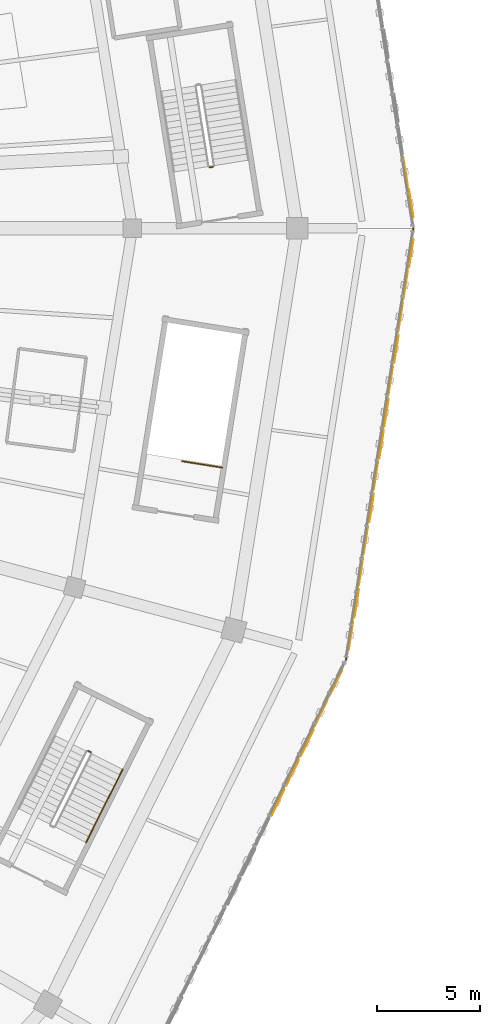
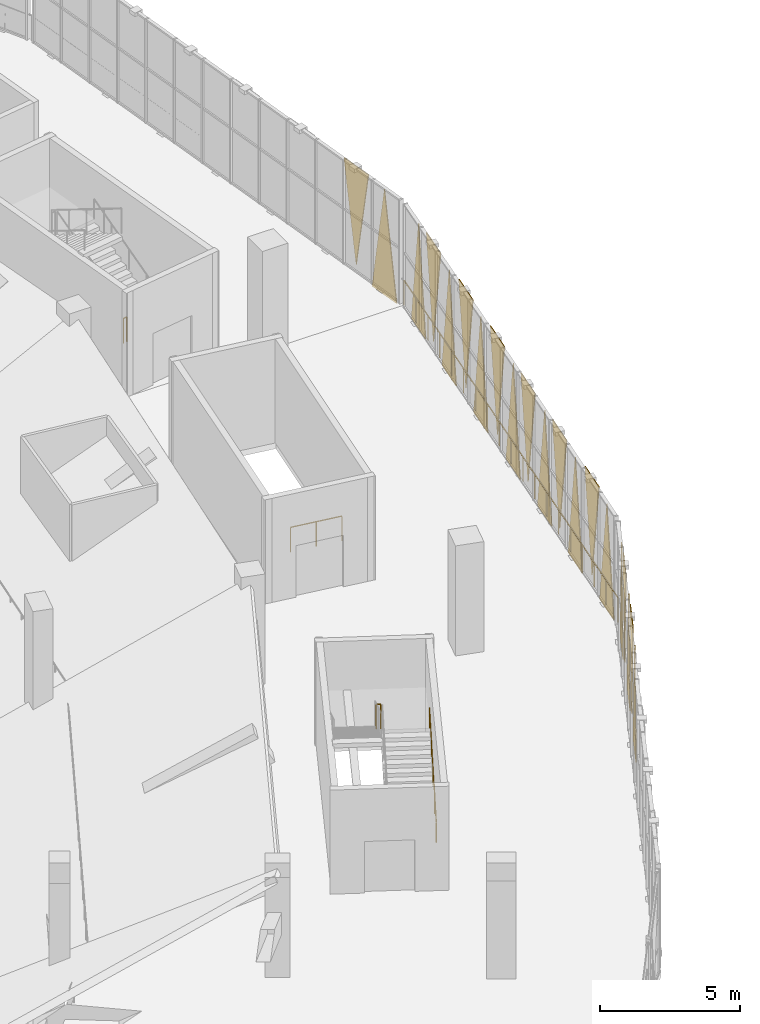
# One storey, part 135 of 152: 20 coverings, 5 railings.
"""IFC4 building model written with IfcOpenShell, lengths in metres."""

import ifcopenshell
import ifcopenshell.guid

model = None  # the IFC model being written
_history = None  # IfcOwnerHistory: only IFC2X3 demands one
_inside = {}  # id of a spatial element -> (the spatial element, [elements in it])
_under = {}  # id of a project, library or spatial element -> (it, [spatial elements below it])
_declared = {}  # id of a project -> (the project, [libraries it declares])
_typed = {}  # id of a type object -> (the type object, [elements of that type])
_made_of = {}  # id of a material, layer set ... -> (it, [elements and type objects made of it])


def new_model(schema):
    """Start an empty IFC model of exactly this schema.

    Asked for "IFC4X3", IfcOpenShell would pick the latest addendum, in which some entities
    have other attributes; the version numbers below select the first issue.
    IFC2X3 requires an IfcOwnerHistory on every rooted entity: one is made here for all.
    """
    global model, _history
    if schema == "IFC4X3":
        model = ifcopenshell.file(schema_version=(4, 3, 0, 0))
    else:
        model = ifcopenshell.file(schema=schema)
    _inside.clear()
    _under.clear()
    _declared.clear()
    _typed.clear()
    _made_of.clear()
    _history = None
    if model.schema == "IFC2X3":
        org = make("IfcOrganization", Name="unknown")
        user = make(
            "IfcPersonAndOrganization",
            ThePerson=make("IfcPerson", FamilyName="unknown"),
            TheOrganization=org,
        )
        app = make(
            "IfcApplication",
            ApplicationDeveloper=org,
            Version="unknown",
            ApplicationFullName="unknown",
            ApplicationIdentifier="unknown",
        )
        _history = make(
            "IfcOwnerHistory",
            OwningUser=user,
            OwningApplication=app,
            ChangeAction="ADDED",
            CreationDate=0,
        )
    return model


def make(cls, **values):
    """One entity of the class cls with the attributes given. An attribute that is None is left unset."""
    return model.create_entity(
        cls, **{name: value for name, value in values.items() if value is not None}
    )


def rooted(cls, **values):
    """An entity with a GlobalId (a new one), such as an element, a storey or a relation."""
    return make(cls, GlobalId=ifcopenshell.guid.new(), OwnerHistory=_history, **values)


def si_unit(unit_type, name, prefix=None):
    """IfcSIUnit, for example si_unit("LENGTHUNIT", "METRE", prefix="MILLI")."""
    return make("IfcSIUnit", UnitType=unit_type, Prefix=prefix, Name=name)


def assignment(units):
    """IfcUnitAssignment: the units of a project."""
    return None if units is None else make("IfcUnitAssignment", Units=units)


def point(xyz):
    """IfcCartesianPoint."""
    return None if xyz is None else make("IfcCartesianPoint", Coordinates=xyz)


def direction(xyz):
    """IfcDirection."""
    return None if xyz is None else make("IfcDirection", DirectionRatios=xyz)


def frame(location, z_axis=None, x_axis=None):
    """IfcAxis2Placement3D, a coordinate frame: its origin and axes. An axis left out is left unset."""
    return make(
        "IfcAxis2Placement3D",
        Location=point(location),
        Axis=direction(z_axis),
        RefDirection=direction(x_axis),
    )


def frame_2d(location, x_axis=None):
    """IfcAxis2Placement2D, a coordinate frame in the plane: its origin and x axis."""
    return make(
        "IfcAxis2Placement2D", Location=point(location), RefDirection=direction(x_axis)
    )


def origin():
    """The frame at (0, 0, 0) with its axes left unset."""
    return frame((0.0, 0.0, 0.0))


def origin_2d():
    """The frame at (0, 0) in the plane with its x axis left unset."""
    return frame_2d((0.0, 0.0))


def place(relative_to, where):
    """IfcLocalPlacement: puts the frame where relative to a parent placement (None: the world)."""
    return make(
        "IfcLocalPlacement", PlacementRelTo=relative_to, RelativePlacement=where
    )


def context(
    kind, dimensions, precision=None, world=None, true_north=None, identifier=None
):
    """IfcGeometricRepresentationContext, for example the 3D "Model" context."""
    return make(
        "IfcGeometricRepresentationContext",
        ContextIdentifier=identifier,
        ContextType=kind,
        CoordinateSpaceDimension=dimensions,
        Precision=precision,
        WorldCoordinateSystem=world,
        TrueNorth=true_north,
    )


def subcontext(parent, identifier, kind, view, scale=None):
    """IfcGeometricRepresentationSubContext, for example "Body" below "Model"."""
    return make(
        "IfcGeometricRepresentationSubContext",
        ContextIdentifier=identifier,
        ContextType=kind,
        ParentContext=parent,
        TargetScale=scale,
        TargetView=view,
    )


def project(units=None, contexts=None):
    """IfcProject with its units and contexts."""
    return rooted(
        "IfcProject",
        Name="project",
        RepresentationContexts=contexts,
        UnitsInContext=assignment(units),
    )


def spatial(cls, under=None, at=None, **own):
    """A site, building, storey or space (cls), placed at a placement, below another one or the project."""
    s = rooted(cls, ObjectPlacement=at, **own)
    if under is not None:
        _under.setdefault(under.id(), (under, []))[1].append(s)
    return s


def polyline(points):
    """IfcPolyline through the points."""
    return make("IfcPolyline", Points=[point(p) for p in points])


def profile(cls, at=None, kind="AREA", **sizes):
    """A parametric profile (cls). Its sizes go by their IFC names, for example OverallWidth=200.0."""
    return make(cls, ProfileType=kind, Position=at, **sizes)


def circle(**sizes):
    """IfcCircleProfileDef."""
    return profile("IfcCircleProfileDef", **sizes)


def outline(outer, holes=None, kind="AREA"):
    """IfcArbitraryClosedProfileDef: a profile drawn as a closed curve; with holes, ...WithVoids."""
    if holes is None:
        return make("IfcArbitraryClosedProfileDef", ProfileType=kind, OuterCurve=outer)
    return make(
        "IfcArbitraryProfileDefWithVoids",
        ProfileType=kind,
        OuterCurve=outer,
        InnerCurves=holes,
    )


def extrude(swept, where, along, depth):
    """IfcExtrudedAreaSolid: the profile swept, set in the frame where, extruded along a direction by depth."""
    return make(
        "IfcExtrudedAreaSolid",
        SweptArea=swept,
        Position=where,
        ExtrudedDirection=direction(along),
        Depth=depth,
    )


def shape(context_of_items, identifier, shape_type, items):
    """IfcShapeRepresentation: the items that make up one representation, for example the "Body"."""
    return make(
        "IfcShapeRepresentation",
        ContextOfItems=context_of_items,
        RepresentationIdentifier=identifier,
        RepresentationType=shape_type,
        Items=items,
    )


def material(Name=None, Category=None):
    """IfcMaterial."""
    return make("IfcMaterial", Name=Name, Category=Category)


def layer(
    of_material, thickness, ventilated=None, Name=None, Category=None, Priority=None
):
    """IfcMaterialLayer: one layer of a wall or slab, of a material (None: an air gap)."""
    return make(
        "IfcMaterialLayer",
        Material=of_material,
        LayerThickness=thickness,
        IsVentilated=ventilated,
        Name=Name,
        Category=Category,
        Priority=Priority,
    )


def layer_set(layers, Name=None):
    """IfcMaterialLayerSet."""
    return make("IfcMaterialLayerSet", MaterialLayers=layers, LayerSetName=Name)


def made_of(thing, what):
    """Note that an element or type object is made of a material, layer set ...; save() writes the relation."""
    if what is not None:
        _made_of.setdefault(what.id(), (what, []))[1].append(thing)
    return thing


def type_object(cls, material=None, **own):
    """A type object (cls), such as IfcWallType, which elements share."""
    return made_of(rooted(cls, **own), material)


def element(
    cls,
    number,
    at=None,
    inside=None,
    cuts=None,
    type_object=None,
    material=None,
    context=None,
    identifier="Body",
    shape_type=None,
    held_by="IfcProductDefinitionShape",
    body=None,
    shapes=None,
    **own,
):
    """One element of the class cls, such as IfcWall. Its Tag is "e" and its number.

    at: its placement. inside: the storey or other place that contains it. cuts: it is an
    opening in that element (IfcRelVoidsElement). A single representation is given by context,
    identifier, shape_type and body (its items); several are given by shapes. held_by: the class
    of the entity that holds the representations. save() writes the other relations.
    """
    e = rooted(cls, Tag="e%d" % number, ObjectPlacement=at, **own)
    if body is not None:
        shapes = [shape(context, identifier, shape_type, body)]
    if shapes is not None:
        e.Representation = make(held_by, Representations=shapes)
    if inside is not None:
        _inside.setdefault(inside.id(), (inside, []))[1].append(e)
    if cuts is not None:
        rooted(
            "IfcRelVoidsElement", RelatingBuildingElement=cuts, RelatedOpeningElement=e
        )
    if type_object is not None:
        _typed.setdefault(type_object.id(), (type_object, []))[1].append(e)
    return made_of(e, material)


def aggregate(whole, parts):
    """IfcRelAggregates: a whole, such as a stair, and the parts it consists of."""
    return rooted("IfcRelAggregates", RelatingObject=whole, RelatedObjects=parts)


def save(model, path):
    """Write the relations noted so far, then the file.

    IfcRelAggregates (storeys below a building ...), IfcRelContainedInSpatialStructure (elements
    in a storey), IfcRelDefinesByType, IfcRelAssociatesMaterial and IfcRelDeclares: one each for
    every whole, place, type object, material and project.
    """
    for whole, parts in _under.values():
        aggregate(whole, parts)
    for where, things in _inside.values():
        rooted(
            "IfcRelContainedInSpatialStructure",
            RelatedElements=things,
            RelatingStructure=where,
        )
    for kind, things in _typed.values():
        rooted("IfcRelDefinesByType", RelatedObjects=things, RelatingType=kind)
    for what, things in _made_of.values():
        rooted("IfcRelAssociatesMaterial", RelatedObjects=things, RelatingMaterial=what)
    for by, libraries in _declared.values():
        rooted("IfcRelDeclares", RelatingContext=by, RelatedDefinitions=libraries)
    model.write(path)


model = new_model("IFC4")

# Units and contexts
model_context = context("Model", 3, precision=1e-05, world=origin(), true_north=direction((0.0, 1.0)))
body_context = subcontext(model_context, "Body", "Model", "MODEL_VIEW")
ifc_project = project(units=[si_unit("LENGTHUNIT", "METRE"), si_unit("AREAUNIT", "SQUARE_METRE"), si_unit("VOLUMEUNIT", "CUBIC_METRE"), si_unit("PLANEANGLEUNIT", "RADIAN"), si_unit("MASSUNIT", "GRAM", prefix="KILO")], contexts=[model_context])

# Site, building, storey
site_placement = place(None, origin())
site = spatial("IfcSite", under=ifc_project, at=site_placement, CompositionType="ELEMENT")
building_placement = place(site_placement, origin())
building = spatial("IfcBuilding", under=site, at=building_placement, Name="Zevraka Park Crest Stadium", CompositionType="ELEMENT")
storey_placement = place(building_placement, frame((0.0, 0.0, 15.0)))
storey = spatial("IfcBuildingStorey", under=building, at=storey_placement, Name="L03", CompositionType="ELEMENT", Elevation=15.0)

# Coverings
ifc_material_1 = material(Name="Architectural golden-bronze perforated aluminium", Category="aluminium")
ifc_layer = layer(ifc_material_1, 0.034912109375)
ifc_layer_set = layer_set([ifc_layer], Name="Architectural golden-bronze perforated aluminium")
covering_type = type_object("IfcCoveringType", Name="CLD01", PredefinedType="CLADDING", material=ifc_layer_set)
covering_1_placement = place(storey_placement, frame((207.91796875, 92.52392578125, -0.260009765625), z_axis=(-0.988065896134, -0.154031762917, 3.0175905e-05), x_axis=(-0.154031762987, 0.988065896583, 0.0)))
element("IfcCovering", 1, at=covering_1_placement, inside=storey, type_object=covering_type, Name="Triangular Golden-Bronze Perforated Cladding L03-00-1", PredefinedType="CLADDING", context=body_context, shape_type="SweptSolid", body=[
    extrude(outline(polyline([(0.0, 0.0), (1.4027266125847992, 0.0), (0.7014651170997235, -4.620117189603506), (0.0, 0.0)])), origin(), (0.0, 0.0, -1.0), 0.034912109375),
])
covering_2_placement = place(storey_placement, frame((207.4609375, 95.4541015625, 4.52001953125), z_axis=(0.988065896306, 0.154031762944, 2.3676663e-05), x_axis=(0.154031762987, -0.988065896583, 0.0)))
element("IfcCovering", 2, at=covering_2_placement, inside=storey, type_object=covering_type, Name="Triangular Golden-Bronze Perforated Cladding L03-00-2", PredefinedType="CLADDING", context=body_context, shape_type="SweptSolid", body=[
    extrude(outline(polyline([(0.0, 0.0), (1.4027266125847992, 0.0), (0.7015027225106089, 4.3000488293302706), (0.0, 0.0)])), origin(), (0.0, 0.0, -1.0), 0.034912109375),
])
covering_3_placement = place(storey_placement, frame((201.030029296875, 63.5009765625, -0.260009765625), z_axis=(-0.897881429156, 0.440237365509, 3.4435251e-05), x_axis=(0.44023736577, 0.897881429689, 0.0)))
element("IfcCovering", 3, at=covering_3_placement, inside=storey, type_object=covering_type, Name="Triangular Golden-Bronze Perforated Cladding L03-22-9", PredefinedType="CLADDING", context=body_context, shape_type="SweptSolid", body=[
    extrude(outline(polyline([(0.0, 0.0), (1.4446441342204863, 0.0), (0.7217203038638793, -4.620117190239236), (0.0, 0.0)])), origin(), (0.0, 0.0, -1.0), 0.034912109375),
])
covering_4_placement = place(storey_placement, frame((202.3740234375, 66.238037109375, 4.52001953125), z_axis=(-0.897614122454, 0.440782090247, 0.000189972778), x_axis=(-0.440782098201, -0.897614138651, 0.0)))
element("IfcCovering", 4, at=covering_4_placement, inside=storey, type_object=covering_type, Name="Triangular Golden-Bronze Perforated Cladding L03-22-10", PredefinedType="CLADDING", context=body_context, shape_type="SweptSolid", body=[
    extrude(outline(polyline([(0.0, 0.0), (1.4450743195452247, -1.3552527156068805e-20), (0.7222583316229236, -4.300048905718644), (0.0, 0.0)])), origin(), (0.0, 0.0, -1.0), 0.034912109375),
])
covering_5_placement = place(storey_placement, frame((202.444091796875, 66.382080078125, -0.260009765625), z_axis=(-0.897581300488, 0.440848948226, 0.000117737785), x_axis=(0.440848951281, 0.89758130671, 0.0)))
element("IfcCovering", 5, at=covering_5_placement, inside=storey, type_object=covering_type, Name="Triangular Golden-Bronze Perforated Cladding L03-22-11", PredefinedType="CLADDING", context=body_context, shape_type="SweptSolid", body=[
    extrude(outline(polyline([(0.0, 0.0), (1.4448551794759072, 0.0), (0.7221507613232814, -4.620117219522464), (0.0, 0.0)])), origin(), (0.0, 0.0, -1.0), 0.034912109375),
])
covering_6_placement = place(storey_placement, frame((203.7880859375, 69.1201171875, 4.52001953125), z_axis=(0.897547277, -0.440918199317, 0.000164502927), x_axis=(-0.440918205283, -0.897547289144, 0.0)))
element("IfcCovering", 6, at=covering_6_placement, inside=storey, type_object=covering_type, Name="Triangular Golden-Bronze Perforated Cladding L03-22-12", PredefinedType="CLADDING", context=body_context, shape_type="SweptSolid", body=[
    extrude(outline(polyline([(0.0, 0.0), (1.4451819489774211, -1.3552527156068805e-20), (0.7229235017866343, 4.300048886307271), (0.0, 0.0)])), origin(), (0.0, 0.0, -1.0), 0.034912109375),
])
covering_7_placement = place(storey_placement, frame((203.85888671875, 69.262939453125, -0.260009765625), z_axis=(0.897814621481, -0.440373593747, 5.81766e-05), x_axis=(0.440373594493, 0.897814623001, 0.0)))
element("IfcCovering", 7, at=covering_7_placement, inside=storey, type_object=covering_type, Name="Triangular Golden-Bronze Perforated Cladding L03-22-13", PredefinedType="CLADDING", context=body_context, shape_type="SweptSolid", body=[
    extrude(outline(polyline([(0.0, 0.0), (1.4447516306762154, -6.776263578034403e-21), (0.7229237978960914, 4.620117195318432), (0.0, 0.0)])), origin(), (0.0, 0.0, -1.0), 0.034912109375),
])
covering_8_placement = place(storey_placement, frame((204.81103515625, 71.56005859375, -0.260009765625), z_axis=(0.988065896343, -0.154031762949, 2.2036412e-05), x_axis=(0.154031762987, 0.988065896583, 0.0)))
element("IfcCovering", 8, at=covering_8_placement, inside=storey, type_object=covering_type, Name="Triangular Golden-Bronze Perforated Cladding L03-23-1", PredefinedType="CLADDING", context=body_context, shape_type="SweptSolid", body=[
    extrude(outline(polyline([(0.0, 0.0), (1.4027266125847992, 0.0), (0.7012238900741903, 4.620117188621773), (0.0, 0.0)])), origin(), (0.0, 0.0, -1.0), 0.034912109375),
])
covering_9_placement = place(storey_placement, frame((205.26806640625, 74.489990234375, 4.52001953125), z_axis=(-0.988065896064, 0.154031762906, 3.2422008e-05), x_axis=(-0.154031762987, -0.988065896583, 0.0)))
element("IfcCovering", 9, at=covering_9_placement, inside=storey, type_object=covering_type, Name="Triangular Golden-Bronze Perforated Cladding L03-23-2", PredefinedType="CLADDING", context=body_context, shape_type="SweptSolid", body=[
    extrude(outline(polyline([(0.0, 0.0), (1.4027266125847992, 8.470329472543003e-22), (0.7012614954850758, -4.3000488303850775), (0.0, 0.0)])), origin(), (0.0, 0.0, -1.0), 0.034912109375),
])
covering_10_placement = place(storey_placement, frame((205.29296875, 74.64794921875, -0.260009765625), z_axis=(0.988065896134, -0.154031762917, 3.0175905e-05), x_axis=(0.154031762987, 0.988065896583, 0.0)))
element("IfcCovering", 10, at=covering_10_placement, inside=storey, type_object=covering_type, Name="Triangular Golden-Bronze Perforated Cladding L03-23-3", PredefinedType="CLADDING", context=body_context, shape_type="SweptSolid", body=[
    extrude(outline(polyline([(0.0, 0.0), (1.4027266125847992, 0.0), (0.7014651170997235, 4.620117189603506), (0.0, 0.0)])), origin(), (0.0, 0.0, -1.0), 0.034912109375),
])
covering_11_placement = place(storey_placement, frame((205.75, 77.577880859375, 4.52001953125), z_axis=(0.988065896306, -0.154031762944, 2.3676663e-05), x_axis=(-0.154031762987, -0.988065896583, 0.0)))
element("IfcCovering", 11, at=covering_11_placement, inside=storey, type_object=covering_type, Name="Triangular Golden-Bronze Perforated Cladding L03-23-4", PredefinedType="CLADDING", context=body_context, shape_type="SweptSolid", body=[
    extrude(outline(polyline([(0.0, 0.0), (1.4027266125847992, 0.0), (0.7012238900741903, 4.3000488293302706), (0.0, 0.0)])), origin(), (0.0, 0.0, -1.0), 0.034912109375),
])
covering_12_placement = place(storey_placement, frame((205.77392578125, 77.737060546875, -0.260009765625), z_axis=(-0.987959709877, 0.154711323248, 0.000134604467), x_axis=(0.15471132465, 0.987959718827, 0.0)))
element("IfcCovering", 12, at=covering_12_placement, inside=storey, type_object=covering_type, Name="Triangular Golden-Bronze Perforated Cladding L03-23-5", PredefinedType="CLADDING", context=body_context, shape_type="SweptSolid", body=[
    extrude(outline(polyline([(0.0, 0.0), (1.402877366063389, 3.3881317890172014e-21), (0.7014125107788164, -4.62011722935448), (0.0, 0.0)])), origin(), (0.0, 0.0, -1.0), 0.034912109375),
])
covering_13_placement = place(storey_placement, frame((206.23193359375, 80.6669921875, 4.52001953125), z_axis=(0.987959709712, -0.154711323222, 0.000135839642), x_axis=(-0.15471132465, -0.987959718827, 0.0)))
element("IfcCovering", 13, at=covering_13_placement, inside=storey, type_object=covering_type, Name="Triangular Golden-Bronze Perforated Cladding L03-23-6", PredefinedType="CLADDING", context=body_context, shape_type="SweptSolid", body=[
    extrude(outline(polyline([(0.0, 0.0), (1.402877366063389, 3.3881317890172014e-21), (0.7012236541813434, 4.300048867798131), (0.0, 0.0)])), origin(), (0.0, 0.0, -1.0), 0.034912109375),
])
covering_14_placement = place(storey_placement, frame((206.256103515625, 80.824951171875, -0.260009765625), z_axis=(-0.98798629997, 0.154541454003, 0.00010033301), x_axis=(0.154541454781, 0.987986304943, 0.0)))
element("IfcCovering", 14, at=covering_14_placement, inside=storey, type_object=covering_type, Name="Triangular Golden-Bronze Perforated Cladding L03-23-7", PredefinedType="CLADDING", context=body_context, shape_type="SweptSolid", body=[
    extrude(outline(polyline([(0.0, 0.0), (1.4028396154796832, 0.0), (0.7016158712315488, -4.620117210754696), (0.0, 0.0)])), origin(), (0.0, 0.0, -1.0), 0.034912109375),
])
covering_15_placement = place(storey_placement, frame((206.714111328125, 83.7548828125, 4.52001953125), z_axis=(-0.987959708495, 0.154711323032, 0.00014462357), x_axis=(-0.15471132465, -0.987959718827, 0.0)))
element("IfcCovering", 15, at=covering_15_placement, inside=storey, type_object=covering_type, Name="Triangular Golden-Bronze Perforated Cladding L03-23-8", PredefinedType="CLADDING", context=body_context, shape_type="SweptSolid", body=[
    extrude(outline(polyline([(0.0, 0.0), (1.4028773660633889, 0.0), (0.7014125107788164, -4.3000488730948625), (0.0, 0.0)])), origin(), (0.0, 0.0, -1.0), 0.034912109375),
])
covering_16_placement = place(storey_placement, frame((206.738037109375, 83.9130859375, -0.260009765625), z_axis=(0.987959710931, -0.154711323413, 0.000126429064), x_axis=(0.15471132465, 0.987959718827, 0.0)))
element("IfcCovering", 16, at=covering_16_placement, inside=storey, type_object=covering_type, Name="Triangular Golden-Bronze Perforated Cladding L03-23-9", PredefinedType="CLADDING", context=body_context, shape_type="SweptSolid", body=[
    extrude(outline(polyline([(0.0, 0.0), (1.402877366063389, 3.3881317890172014e-21), (0.7012236541813434, 4.62011722442469), (0.0, 0.0)])), origin(), (0.0, 0.0, -1.0), 0.034912109375),
])
covering_17_placement = place(storey_placement, frame((207.195068359375, 86.843994140625, 4.52001953125), z_axis=(-0.988065896306, 0.154031762944, 2.3676663e-05), x_axis=(-0.154031762987, -0.988065896583, 0.0)))
element("IfcCovering", 17, at=covering_17_placement, inside=storey, type_object=covering_type, Name="Triangular Golden-Bronze Perforated Cladding L03-23-10", PredefinedType="CLADDING", context=body_context, shape_type="SweptSolid", body=[
    extrude(outline(polyline([(0.0, 0.0), (1.4027266125847992, 0.0), (0.7015027225106089, -4.3000488293302706), (0.0, 0.0)])), origin(), (0.0, 0.0, -1.0), 0.034912109375),
])
covering_18_placement = place(storey_placement, frame((207.219970703125, 87.001953125, -0.260009765625), z_axis=(0.988065896134, -0.154031762917, 3.0175905e-05), x_axis=(0.154031762987, 0.988065896583, 0.0)))
element("IfcCovering", 18, at=covering_18_placement, inside=storey, type_object=covering_type, Name="Triangular Golden-Bronze Perforated Cladding L03-23-11", PredefinedType="CLADDING", context=body_context, shape_type="SweptSolid", body=[
    extrude(outline(polyline([(0.0, 0.0), (1.4027266125847992, 0.0), (0.7014651170997235, 4.620117189603506), (0.0, 0.0)])), origin(), (0.0, 0.0, -1.0), 0.034912109375),
])
covering_19_placement = place(storey_placement, frame((207.677001953125, 89.931884765625, 4.52001953125), z_axis=(0.988065896306, -0.154031762944, 2.3676663e-05), x_axis=(-0.154031762987, -0.988065896583, 0.0)))
element("IfcCovering", 19, at=covering_19_placement, inside=storey, type_object=covering_type, Name="Triangular Golden-Bronze Perforated Cladding L03-23-12", PredefinedType="CLADDING", context=body_context, shape_type="SweptSolid", body=[
    extrude(outline(polyline([(0.0, 0.0), (1.4027266125847992, 0.0), (0.7012238900741903, 4.3000488293302706), (0.0, 0.0)])), origin(), (0.0, 0.0, -1.0), 0.034912109375),
])
covering_20_placement = place(storey_placement, frame((207.701904296875, 90.090087890625, -0.260009765625), z_axis=(-0.988065896134, 0.154031762917, 3.0175905e-05), x_axis=(0.154031762987, 0.988065896583, 0.0)))
element("IfcCovering", 20, at=covering_20_placement, inside=storey, type_object=covering_type, Name="Triangular Golden-Bronze Perforated Cladding L03-23-13", PredefinedType="CLADDING", context=body_context, shape_type="SweptSolid", body=[
    extrude(outline(polyline([(0.0, 0.0), (1.4027266125847992, 0.0), (0.7012614954850758, -4.620117189603506), (0.0, 0.0)])), origin(), (0.0, 0.0, -1.0), 0.034912109375),
])

# Railings
ifc_material_2 = material(Name="Galvanised and bronze-finished steel balustrade", Category="steel")
railing_type_1 = type_object("IfcRailingType", Name="GR01", PredefinedType="GUARDRAIL", material=ifc_material_2)
railing_1_placement = place(storey_placement, frame((207.928955078125, 92.0, 0.0)))
element("IfcRailing", 21, at=railing_1_placement, inside=storey, type_object=railing_type_1, Name="Deck Edge Protection Guardrail GR01 L03-21", PredefinedType="GUARDRAIL", context=body_context, shape_type="SweptSolid", body=[
    extrude(circle(Radius=0.02392578125, at=origin_2d()), frame((0.0, 0.0, 1.076171875), z_axis=(-0.154179062978, -0.988042922417, 0.0), x_axis=(0.988042922417, -0.154179062978, 0.0)), (0.0, 0.0, 1.0), 21.196533203125),
    extrude(circle(Radius=0.02099609375, at=origin_2d()), origin(), (0.0, 0.0, 1.0), 1.052001953125),
    extrude(circle(Radius=0.02099609375, at=origin_2d()), frame((-0.181640625, -1.16357421875, 0.0)), (0.0, 0.0, 1.0), 1.052001953125),
    extrude(circle(Radius=0.02099609375, at=origin_2d()), frame((-0.363037109375, -2.326904296875, 0.0)), (0.0, 0.0, 1.0), 1.052001953125),
    extrude(circle(Radius=0.02099609375, at=origin_2d()), frame((-0.544677734375, -3.490478515625, 0.0)), (0.0, 0.0, 1.0), 1.052001953125),
    extrude(circle(Radius=0.02099609375, at=origin_2d()), frame((-0.726318359375, -4.654052734375, 0.0)), (0.0, 0.0, 1.0), 1.052001953125),
    extrude(circle(Radius=0.02099609375, at=origin_2d()), frame((-0.90771484375, -5.817626953125, 0.0)), (0.0, 0.0, 1.0), 1.052001953125),
    extrude(circle(Radius=0.02099609375, at=origin_2d()), frame((-1.08935546875, -6.98095703125, 0.0)), (0.0, 0.0, 1.0), 1.052001953125),
    extrude(circle(Radius=0.02099609375, at=origin_2d()), frame((-1.27099609375, -8.14453125, 0.0)), (0.0, 0.0, 1.0), 1.052001953125),
    extrude(circle(Radius=0.02099609375, at=origin_2d()), frame((-1.452392578125, -9.30810546875, 0.0)), (0.0, 0.0, 1.0), 1.052001953125),
    extrude(circle(Radius=0.02099609375, at=origin_2d()), frame((-1.634033203125, -10.4716796875, 0.0)), (0.0, 0.0, 1.0), 1.052001953125),
    extrude(circle(Radius=0.02099609375, at=origin_2d()), frame((-1.815673828125, -11.635009765625, 0.0)), (0.0, 0.0, 1.0), 1.052001953125),
    extrude(circle(Radius=0.02099609375, at=origin_2d()), frame((-1.9970703125, -12.798583984375, 0.0)), (0.0, 0.0, 1.0), 1.052001953125),
    extrude(circle(Radius=0.02099609375, at=origin_2d()), frame((-2.1787109375, -13.962158203125, 0.0)), (0.0, 0.0, 1.0), 1.052001953125),
    extrude(circle(Radius=0.02099609375, at=origin_2d()), frame((-2.3603515625, -15.12548828125, 0.0)), (0.0, 0.0, 1.0), 1.052001953125),
    extrude(circle(Radius=0.02099609375, at=origin_2d()), frame((-2.541748046875, -16.2890625, 0.0)), (0.0, 0.0, 1.0), 1.052001953125),
    extrude(circle(Radius=0.02099609375, at=origin_2d()), frame((-2.723388671875, -17.45263671875, 0.0)), (0.0, 0.0, 1.0), 1.052001953125),
    extrude(circle(Radius=0.02099609375, at=origin_2d()), frame((-2.905029296875, -18.6162109375, 0.0)), (0.0, 0.0, 1.0), 1.052001953125),
    extrude(circle(Radius=0.02099609375, at=origin_2d()), frame((-3.08642578125, -19.779541015625, 0.0)), (0.0, 0.0, 1.0), 1.052001953125),
    extrude(circle(Radius=0.02099609375, at=origin_2d()), frame((-3.26806640625, -20.943115234375, 0.0)), (0.0, 0.0, 1.0), 1.052001953125),
])
ifc_material_3 = material(Name="Powder-coated tubular steel stairwell guard", Category="steel")
railing_type_2 = type_object("IfcRailingType", Name="GR03", PredefinedType="GUARDRAIL", material=ifc_material_3)
railing_2_placement = place(storey_placement, frame((198.205078125, 94.982421875, 0.0)))
element("IfcRailing", 22, at=railing_2_placement, inside=storey, type_object=railing_type_2, Name="L03 ST01 stair guard 4", PredefinedType="GUARDRAIL", context=body_context, shape_type="SweptSolid", body=[
    extrude(circle(Radius=0.02392578125, at=origin_2d()), frame((0.0, 0.0, 1.076171875), z_axis=(-0.987564153079, -0.157216549872, 0.0), x_axis=(0.157216549872, -0.987564153079, 0.0)), (0.0, 0.0, 1.0), 0.159912109375),
    extrude(circle(Radius=0.02099609375, at=origin_2d()), origin(), (0.0, 0.0, 1.0), 1.052001953125),
    extrude(circle(Radius=0.02099609375, at=origin_2d()), frame((-0.157958984375, -0.025146484375, 0.0)), (0.0, 0.0, 1.0), 1.052001953125),
])
railing_3_placement = place(storey_placement, frame((192.285888671875, 66.5771484375, 2.39990234375)))
element("IfcRailing", 23, at=railing_3_placement, inside=storey, type_object=railing_type_2, Name="L03 ST23 stair guard 2", PredefinedType="GUARDRAIL", context=body_context, shape_type="SweptSolid", body=[
    extrude(circle(Radius=0.02392578125, at=origin_2d()), frame((0.0, 0.0, 1.076171875), z_axis=(-0.893816245171, 0.44843340628, 0.0), x_axis=(-0.44843340628, -0.893816245171, 0.0)), (0.0, 0.0, 1.0), 0.16015625),
    extrude(circle(Radius=0.02099609375, at=origin_2d()), origin(), (0.0, 0.0, 1.0), 1.052001953125),
    extrude(circle(Radius=0.02099609375, at=origin_2d()), frame((-0.14306640625, 0.07177734375, 0.0)), (0.0, 0.0, 1.0), 1.052001953125),
])
railing_4_placement = place(storey_placement, frame((198.654296875, 80.389404296875, 0.0)))
element("IfcRailing", 24, at=railing_4_placement, inside=storey, type_object=railing_type_2, Name="L03 ST24 top well guard 1", PredefinedType="GUARDRAIL", context=body_context, shape_type="SweptSolid", body=[
    extrude(circle(Radius=0.02392578125, at=origin_2d()), frame((0.0, 0.0, 1.076171875), z_axis=(-0.987546899515, 0.157324890778, 0.0), x_axis=(-0.157324890778, -0.987546899515, 0.0)), (0.0, 0.0, 1.0), 1.9599609375),
    extrude(circle(Radius=0.02099609375, at=origin_2d()), origin(), (0.0, 0.0, 1.0), 1.052001953125),
    extrude(circle(Radius=0.02099609375, at=origin_2d()), frame((-0.9677734375, 0.154296875, 0.0)), (0.0, 0.0, 1.0), 1.052001953125),
    extrude(circle(Radius=0.02099609375, at=origin_2d()), frame((-1.935546875, 0.308349609375, 0.0)), (0.0, 0.0, 1.0), 1.052001953125),
])
ifc_material_4 = material(Name="Brushed stainless steel continuous handrail", Category="steel")
railing_type_3 = type_object("IfcRailingType", Name="HR01", PredefinedType="HANDRAIL", material=ifc_material_4)
railing_5_placement = place(storey_placement, frame((192.052001953125, 62.20361328125, 0.17138671875)))
element("IfcRailing", 25, at=railing_5_placement, inside=storey, type_object=railing_type_3, Name="L03 ST23 stair handrail 1", PredefinedType="HANDRAIL", context=body_context, shape_type="SweptSolid", body=[
    extrude(circle(Radius=0.02392578125, at=origin_2d()), frame((0.0, 0.0, 0.8759765625), z_axis=(0.390499471061, 0.779388635026, 0.489962772763), x_axis=(-0.894057440576, 0.447952333346, 0.0)), (0.0, 0.0, 1.0), 4.54833984375),
    extrude(circle(Radius=0.02099609375, at=origin_2d()), origin(), (0.0, 0.0, 1.0), 0.851806640625),
    extrude(circle(Radius=0.02099609375, at=origin_2d()), frame((0.444091796875, 0.88623046875, 0.55712890625)), (0.0, 0.0, 1.0), 0.851806640625),
    extrude(circle(Radius=0.02099609375, at=origin_2d()), frame((0.88818359375, 1.7724609375, 1.1142578125)), (0.0, 0.0, 1.0), 0.851806640625),
    extrude(circle(Radius=0.02099609375, at=origin_2d()), frame((1.33203125, 2.65869140625, 1.67138671875)), (0.0, 0.0, 1.0), 0.851806640625),
    extrude(circle(Radius=0.02099609375, at=origin_2d()), frame((1.776123046875, 3.544921875, 2.228515625)), (0.0, 0.0, 1.0), 0.851806640625),
])

save(model, "model.ifc")
